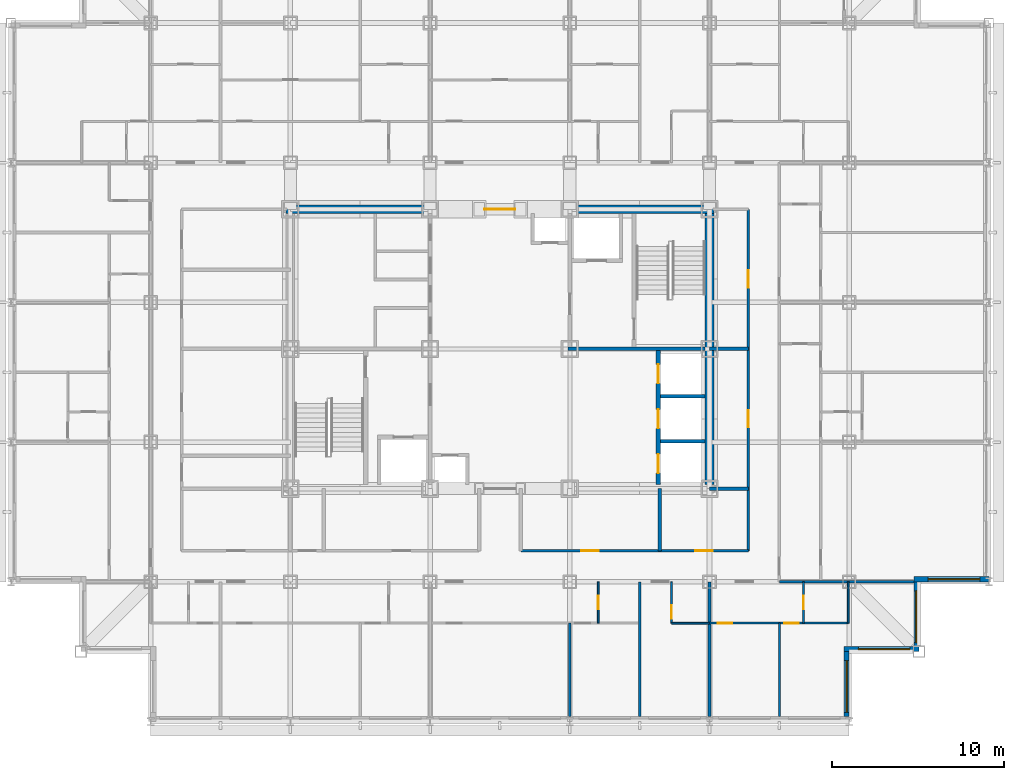
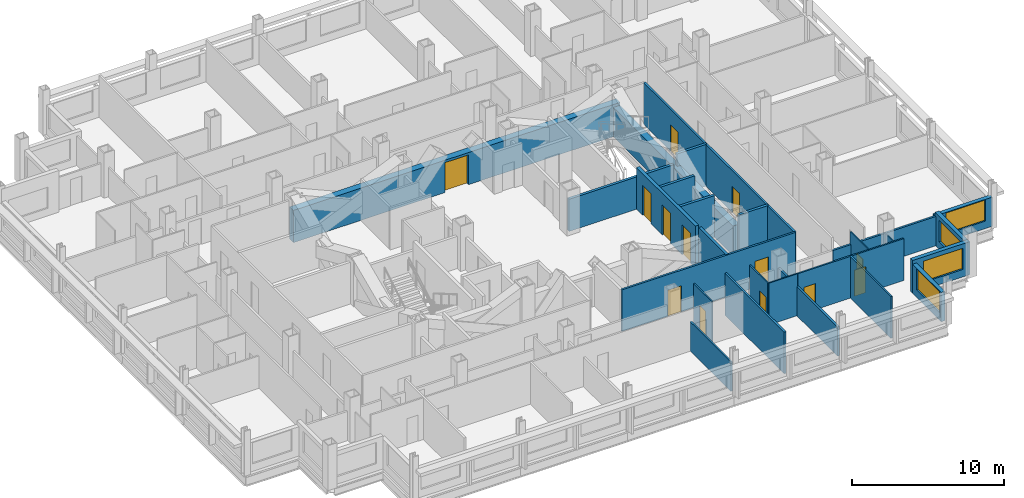
# One storey, part 7 of 12: 26 walls, 13 doors, 4 windows, 17 openings.
"""IFC4 building model written with IfcOpenShell, lengths in metres."""

import ifcopenshell
import ifcopenshell.guid

model = None  # the IFC model being written
_history = None  # IfcOwnerHistory: only IFC2X3 demands one
_inside = {}  # id of a spatial element -> (the spatial element, [elements in it])
_under = {}  # id of a project, library or spatial element -> (it, [spatial elements below it])
_declared = {}  # id of a project -> (the project, [libraries it declares])
_typed = {}  # id of a type object -> (the type object, [elements of that type])
_made_of = {}  # id of a material, layer set ... -> (it, [elements and type objects made of it])


def new_model(schema):
    """Start an empty IFC model of exactly this schema.

    Asked for "IFC4X3", IfcOpenShell would pick the latest addendum, in which some entities
    have other attributes; the version numbers below select the first issue.
    IFC2X3 requires an IfcOwnerHistory on every rooted entity: one is made here for all.
    """
    global model, _history
    if schema == "IFC4X3":
        model = ifcopenshell.file(schema_version=(4, 3, 0, 0))
    else:
        model = ifcopenshell.file(schema=schema)
    _inside.clear()
    _under.clear()
    _declared.clear()
    _typed.clear()
    _made_of.clear()
    _history = None
    if model.schema == "IFC2X3":
        org = make("IfcOrganization", Name="unknown")
        user = make(
            "IfcPersonAndOrganization",
            ThePerson=make("IfcPerson", FamilyName="unknown"),
            TheOrganization=org,
        )
        app = make(
            "IfcApplication",
            ApplicationDeveloper=org,
            Version="unknown",
            ApplicationFullName="unknown",
            ApplicationIdentifier="unknown",
        )
        _history = make(
            "IfcOwnerHistory",
            OwningUser=user,
            OwningApplication=app,
            ChangeAction="ADDED",
            CreationDate=0,
        )
    return model


def make(cls, **values):
    """One entity of the class cls with the attributes given. An attribute that is None is left unset."""
    return model.create_entity(
        cls, **{name: value for name, value in values.items() if value is not None}
    )


def rooted(cls, **values):
    """An entity with a GlobalId (a new one), such as an element, a storey or a relation."""
    return make(cls, GlobalId=ifcopenshell.guid.new(), OwnerHistory=_history, **values)


def si_unit(unit_type, name, prefix=None):
    """IfcSIUnit, for example si_unit("LENGTHUNIT", "METRE", prefix="MILLI")."""
    return make("IfcSIUnit", UnitType=unit_type, Prefix=prefix, Name=name)


def assignment(units):
    """IfcUnitAssignment: the units of a project."""
    return None if units is None else make("IfcUnitAssignment", Units=units)


def point(xyz):
    """IfcCartesianPoint."""
    return None if xyz is None else make("IfcCartesianPoint", Coordinates=xyz)


def direction(xyz):
    """IfcDirection."""
    return None if xyz is None else make("IfcDirection", DirectionRatios=xyz)


def frame(location, z_axis=None, x_axis=None):
    """IfcAxis2Placement3D, a coordinate frame: its origin and axes. An axis left out is left unset."""
    return make(
        "IfcAxis2Placement3D",
        Location=point(location),
        Axis=direction(z_axis),
        RefDirection=direction(x_axis),
    )


def frame_2d(location, x_axis=None):
    """IfcAxis2Placement2D, a coordinate frame in the plane: its origin and x axis."""
    return make(
        "IfcAxis2Placement2D", Location=point(location), RefDirection=direction(x_axis)
    )


def origin():
    """The frame at (0, 0, 0) with its axes left unset."""
    return frame((0.0, 0.0, 0.0))


def place(relative_to, where):
    """IfcLocalPlacement: puts the frame where relative to a parent placement (None: the world)."""
    return make(
        "IfcLocalPlacement", PlacementRelTo=relative_to, RelativePlacement=where
    )


def context(
    kind, dimensions, precision=None, world=None, true_north=None, identifier=None
):
    """IfcGeometricRepresentationContext, for example the 3D "Model" context."""
    return make(
        "IfcGeometricRepresentationContext",
        ContextIdentifier=identifier,
        ContextType=kind,
        CoordinateSpaceDimension=dimensions,
        Precision=precision,
        WorldCoordinateSystem=world,
        TrueNorth=true_north,
    )


def subcontext(parent, identifier, kind, view, scale=None):
    """IfcGeometricRepresentationSubContext, for example "Body" below "Model"."""
    return make(
        "IfcGeometricRepresentationSubContext",
        ContextIdentifier=identifier,
        ContextType=kind,
        ParentContext=parent,
        TargetScale=scale,
        TargetView=view,
    )


def project(units=None, contexts=None):
    """IfcProject with its units and contexts."""
    return rooted(
        "IfcProject",
        Name="project",
        RepresentationContexts=contexts,
        UnitsInContext=assignment(units),
    )


def spatial(cls, under=None, at=None, **own):
    """A site, building, storey or space (cls), placed at a placement, below another one or the project."""
    s = rooted(cls, ObjectPlacement=at, **own)
    if under is not None:
        _under.setdefault(under.id(), (under, []))[1].append(s)
    return s


def profile(cls, at=None, kind="AREA", **sizes):
    """A parametric profile (cls). Its sizes go by their IFC names, for example OverallWidth=200.0."""
    return make(cls, ProfileType=kind, Position=at, **sizes)


def rectangle(**sizes):
    """IfcRectangleProfileDef."""
    return profile("IfcRectangleProfileDef", **sizes)


def extrude(swept, where, along, depth):
    """IfcExtrudedAreaSolid: the profile swept, set in the frame where, extruded along a direction by depth."""
    return make(
        "IfcExtrudedAreaSolid",
        SweptArea=swept,
        Position=where,
        ExtrudedDirection=direction(along),
        Depth=depth,
    )


def shape(context_of_items, identifier, shape_type, items):
    """IfcShapeRepresentation: the items that make up one representation, for example the "Body"."""
    return make(
        "IfcShapeRepresentation",
        ContextOfItems=context_of_items,
        RepresentationIdentifier=identifier,
        RepresentationType=shape_type,
        Items=items,
    )


def material(Name=None, Category=None):
    """IfcMaterial."""
    return make("IfcMaterial", Name=Name, Category=Category)


def layer(
    of_material, thickness, ventilated=None, Name=None, Category=None, Priority=None
):
    """IfcMaterialLayer: one layer of a wall or slab, of a material (None: an air gap)."""
    return make(
        "IfcMaterialLayer",
        Material=of_material,
        LayerThickness=thickness,
        IsVentilated=ventilated,
        Name=Name,
        Category=Category,
        Priority=Priority,
    )


def layer_set(layers, Name=None):
    """IfcMaterialLayerSet."""
    return make("IfcMaterialLayerSet", MaterialLayers=layers, LayerSetName=Name)


def made_of(thing, what):
    """Note that an element or type object is made of a material, layer set ...; save() writes the relation."""
    if what is not None:
        _made_of.setdefault(what.id(), (what, []))[1].append(thing)
    return thing


def type_object(cls, material=None, **own):
    """A type object (cls), such as IfcWallType, which elements share."""
    return made_of(rooted(cls, **own), material)


def element(
    cls,
    number,
    at=None,
    inside=None,
    cuts=None,
    type_object=None,
    material=None,
    context=None,
    identifier="Body",
    shape_type=None,
    held_by="IfcProductDefinitionShape",
    body=None,
    shapes=None,
    **own,
):
    """One element of the class cls, such as IfcWall. Its Tag is "e" and its number.

    at: its placement. inside: the storey or other place that contains it. cuts: it is an
    opening in that element (IfcRelVoidsElement). A single representation is given by context,
    identifier, shape_type and body (its items); several are given by shapes. held_by: the class
    of the entity that holds the representations. save() writes the other relations.
    """
    e = rooted(cls, Tag="e%d" % number, ObjectPlacement=at, **own)
    if body is not None:
        shapes = [shape(context, identifier, shape_type, body)]
    if shapes is not None:
        e.Representation = make(held_by, Representations=shapes)
    if inside is not None:
        _inside.setdefault(inside.id(), (inside, []))[1].append(e)
    if cuts is not None:
        rooted(
            "IfcRelVoidsElement", RelatingBuildingElement=cuts, RelatedOpeningElement=e
        )
    if type_object is not None:
        _typed.setdefault(type_object.id(), (type_object, []))[1].append(e)
    return made_of(e, material)


def fill(opening, filler):
    """IfcRelFillsElement: the door or window that sits in an opening."""
    return rooted(
        "IfcRelFillsElement",
        RelatingOpeningElement=opening,
        RelatedBuildingElement=filler,
    )


def aggregate(whole, parts):
    """IfcRelAggregates: a whole, such as a stair, and the parts it consists of."""
    return rooted("IfcRelAggregates", RelatingObject=whole, RelatedObjects=parts)


def save(model, path):
    """Write the relations noted so far, then the file.

    IfcRelAggregates (storeys below a building ...), IfcRelContainedInSpatialStructure (elements
    in a storey), IfcRelDefinesByType, IfcRelAssociatesMaterial and IfcRelDeclares: one each for
    every whole, place, type object, material and project.
    """
    for whole, parts in _under.values():
        aggregate(whole, parts)
    for where, things in _inside.values():
        rooted(
            "IfcRelContainedInSpatialStructure",
            RelatedElements=things,
            RelatingStructure=where,
        )
    for kind, things in _typed.values():
        rooted("IfcRelDefinesByType", RelatedObjects=things, RelatingType=kind)
    for what, things in _made_of.values():
        rooted("IfcRelAssociatesMaterial", RelatedObjects=things, RelatingMaterial=what)
    for by, libraries in _declared.values():
        rooted("IfcRelDeclares", RelatingContext=by, RelatedDefinitions=libraries)
    model.write(path)


model = new_model("IFC4")

# Units and contexts
model_context = context("Model", 3, precision=1e-05, world=origin(), true_north=direction((0.0, 1.0)))
body_context = subcontext(model_context, "Body", "Model", "MODEL_VIEW")
ifc_project = project(units=[si_unit("LENGTHUNIT", "METRE"), si_unit("AREAUNIT", "SQUARE_METRE"), si_unit("VOLUMEUNIT", "CUBIC_METRE"), si_unit("PLANEANGLEUNIT", "RADIAN"), si_unit("MASSUNIT", "GRAM", prefix="KILO")], contexts=[model_context])

# Site, building, storey
site_placement = place(None, origin())
site = spatial("IfcSite", under=ifc_project, at=site_placement, CompositionType="ELEMENT")
building_placement = place(site_placement, origin())
building = spatial("IfcBuilding", under=site, at=building_placement, Name="Kopane Lantern Tower", CompositionType="ELEMENT")
storey_placement = place(building_placement, frame((0.0, 0.0, 231.60009765625)))
storey = spatial("IfcBuildingStorey", under=building, at=storey_placement, Name="L60", CompositionType="ELEMENT", Elevation=231.60009765625)

# Wall
ifc_material_1 = material(Name="Gypsum board on steel studs", Category="steel")
ifc_layer_1 = layer(ifc_material_1, 0.1201171875)
ifc_layer_set_1 = layer_set([ifc_layer_1], Name="APARTMENT INTERNAL WALL 120")
wall_type_1 = type_object("IfcWallType", Name="APARTMENT INTERNAL WALL 120", PredefinedType="PARTITIONING", material=ifc_layer_set_1)
wall_1_placement = place(storey_placement, frame((32.39990234375, 16.5, 0.0), z_axis=(0.0, 0.0, 1.0), x_axis=(0.0, -1.0, 0.0)))
element("IfcWall", 1, at=wall_1_placement, inside=storey, type_object=wall_type_1, Name="Apartment Internal Wall 120 L60", PredefinedType="PARTITIONING", context=body_context, shape_type="SweptSolid", body=[
    extrude(rectangle(XDim=5.39990234375, YDim=0.1201171875, at=frame_2d((2.699951171875, 0.0))), origin(), (0.0, 0.0, 1.0), 2.349853515625),
])

# Wall, openings, doors
wall_2_placement = place(storey_placement, frame((40.5, 16.5, 0.0), z_axis=(0.0, 0.0, 1.0), x_axis=(1.0, 0.0, 0.0)))
wall_2 = element("IfcWall", 2, at=wall_2_placement, inside=storey, type_object=wall_type_1, Name="Apartment Internal Wall 120 L60", PredefinedType="PARTITIONING", context=body_context, shape_type="SweptSolid", body=[
    extrude(rectangle(XDim=8.050048828125, YDim=0.1201171875, at=frame_2d((4.02490234375, 0.0))), origin(), (0.0, 0.0, 1.0), 3.349853515625),
])
opening_1_placement = place(wall_2_placement, frame((0.47509765625, 0.0, 0.0)))
opening_1 = element("IfcOpeningElement", 3, at=opening_1_placement, cuts=wall_2, Name="Opening L60-055", PredefinedType="OPENING", context=body_context, shape_type="SweptSolid", body=[
    extrude(rectangle(XDim=0.85009765625, YDim=2.10009765625, at=frame_2d((0.425048828125, 1.050048828125))), frame((0.0, 0.070068359375, 0.0), z_axis=(0.0, -1.0, 0.0), x_axis=(1.0, 0.0, 0.0)), (0.0, 0.0, 1.0), 0.14013671875),
])
opening_2_placement = place(wall_2_placement, frame((4.324951171875, 0.0, 0.0)))
opening_2 = element("IfcOpeningElement", 4, at=opening_2_placement, cuts=wall_2, Name="Opening L60-057", PredefinedType="OPENING", context=body_context, shape_type="SweptSolid", body=[
    extrude(rectangle(XDim=0.85009765625, YDim=2.10009765625, at=frame_2d((0.425048828125, 1.050048828125))), frame((0.0, 0.070068359375, 0.0), z_axis=(0.0, -1.0, 0.0), x_axis=(1.0, 0.0, 0.0)), (0.0, 0.0, 1.0), 0.14013671875),
])
ifc_material_2 = material(Name="Timber door set", Category="wood")
door_type_1 = type_object("IfcDoorType", Name="DOOR D4 850x2100", OperationType="SINGLE_SWING_LEFT", PredefinedType="DOOR", material=ifc_material_2)
door_1_placement = place(opening_1_placement, origin())
door_1 = element("IfcDoor", 5, at=door_1_placement, inside=storey, type_object=door_type_1, Name="Door L60-055", OperationType="SINGLE_SWING_LEFT", OverallHeight=2.10009765625, OverallWidth=0.85009765625, PredefinedType="DOOR", context=body_context, shape_type="SweptSolid", body=[
    extrude(rectangle(XDim=0.85009765625, YDim=2.10009765625, at=frame_2d((0.425048828125, 1.050048828125))), frame((0.0, 0.02490234375, 0.0), z_axis=(0.0, -1.0, 0.0), x_axis=(1.0, 0.0, 0.0)), (0.0, 0.0, 1.0), 0.050048828125),
])
fill(opening_1, door_1)
door_2_placement = place(opening_2_placement, origin())
door_2 = element("IfcDoor", 6, at=door_2_placement, inside=storey, type_object=door_type_1, Name="Door L60-057", OperationType="SINGLE_SWING_RIGHT", OverallHeight=2.10009765625, OverallWidth=0.85009765625, PredefinedType="DOOR", context=body_context, shape_type="SweptSolid", body=[
    extrude(rectangle(XDim=0.85009765625, YDim=2.10009765625, at=frame_2d((0.425048828125, 1.050048828125))), frame((0.0, 0.02490234375, 0.0), z_axis=(0.0, -1.0, 0.0), x_axis=(1.0, 0.0, 0.0)), (0.0, 0.0, 1.0), 0.050048828125),
])
fill(opening_2, door_2)

# Wall
wall_3_placement = place(storey_placement, frame((44.550048828125, 16.5, 0.0), z_axis=(0.0, 0.0, 1.0), x_axis=(0.0, -1.0, 0.0)))
element("IfcWall", 7, at=wall_3_placement, inside=storey, type_object=wall_type_1, Name="Apartment Internal Wall 120 L60", PredefinedType="PARTITIONING", context=body_context, shape_type="SweptSolid", body=[
    extrude(rectangle(XDim=5.39990234375, YDim=0.1201171875, at=frame_2d((2.699951171875, 0.0))), origin(), (0.0, 0.0, 1.0), 3.349853515625),
])

# Wall, opening, door
ifc_material_3 = material(Name="Moisture-resistant board on steel studs", Category="steel")
ifc_layer_2 = layer(ifc_material_3, 0.10009765625)
ifc_layer_set_2 = layer_set([ifc_layer_2], Name="BATHROOM WALL 100")
wall_type_2 = type_object("IfcWallType", Name="BATHROOM WALL 100", PredefinedType="PARTITIONING", material=ifc_layer_set_2)
wall_4_placement = place(storey_placement, frame((34.050048828125, 18.89990234375, 0.0), z_axis=(0.0, 0.0, 1.0), x_axis=(0.0, -1.0, 0.0)))
wall_4 = element("IfcWall", 8, at=wall_4_placement, inside=storey, type_object=wall_type_2, Name="Bathroom Wall 100 L60", PredefinedType="PARTITIONING", context=body_context, shape_type="SweptSolid", body=[
    extrude(rectangle(XDim=2.39990234375, YDim=0.10009765625, at=frame_2d((1.199951171875, 0.0))), origin(), (0.0, 0.0, 1.0), 3.349853515625),
])
opening_3_placement = place(wall_4_placement, frame((0.800048828125, 0.0, 0.0)))
opening_3 = element("IfcOpeningElement", 9, at=opening_3_placement, cuts=wall_4, Name="Opening L60-016", PredefinedType="OPENING", context=body_context, shape_type="SweptSolid", body=[
    extrude(rectangle(XDim=0.800048828125, YDim=2.10009765625, at=frame_2d((0.39990234375, 1.050048828125))), frame((0.0, 0.06005859375, 0.0), z_axis=(0.0, -1.0, 0.0), x_axis=(1.0, 0.0, 0.0)), (0.0, 0.0, 1.0), 0.1201171875),
])
ifc_material_4 = material(Name="Timber door set", Category="wood")
door_type_2 = type_object("IfcDoorType", Name="DOOR D2 800x2100", OperationType="SINGLE_SWING_LEFT", PredefinedType="DOOR", material=ifc_material_4)
door_3_placement = place(opening_3_placement, origin())
door_3 = element("IfcDoor", 10, at=door_3_placement, inside=storey, type_object=door_type_2, Name="Door L60-016", OperationType="SINGLE_SWING_LEFT", OverallHeight=2.10009765625, OverallWidth=0.800048828125, PredefinedType="DOOR", context=body_context, shape_type="SweptSolid", body=[
    extrude(rectangle(XDim=0.800048828125, YDim=2.10009765625, at=frame_2d((0.39990234375, 1.050048828125))), frame((0.0, 0.02490234375, 0.0), z_axis=(0.0, -1.0, 0.0), x_axis=(1.0, 0.0, 0.0)), (0.0, 0.0, 1.0), 0.050048828125),
])
fill(opening_3, door_3)

# Wall
wall_5_placement = place(storey_placement, frame((38.300048828125, 16.5, 0.0), z_axis=(0.0, 0.0, 1.0), x_axis=(1.0, 0.0, 0.0)))
element("IfcWall", 11, at=wall_5_placement, inside=storey, type_object=wall_type_2, Name="Bathroom Wall 100 L60", PredefinedType="PARTITIONING", context=body_context, shape_type="SweptSolid", body=[
    extrude(rectangle(XDim=2.199951171875, YDim=0.10009765625, at=frame_2d((1.10009765625, 0.0))), origin(), (0.0, 0.0, 1.0), 3.349853515625),
])

# Wall, opening, door
wall_6_placement = place(storey_placement, frame((38.300048828125, 18.89990234375, 0.0), z_axis=(0.0, 0.0, 1.0), x_axis=(0.0, -1.0, 0.0)))
wall_6 = element("IfcWall", 12, at=wall_6_placement, inside=storey, type_object=wall_type_2, Name="Bathroom Wall 100 L60", PredefinedType="PARTITIONING", context=body_context, shape_type="SweptSolid", body=[
    extrude(rectangle(XDim=2.39990234375, YDim=0.10009765625, at=frame_2d((1.199951171875, 0.0))), origin(), (0.0, 0.0, 1.0), 3.349853515625),
])
opening_4_placement = place(wall_6_placement, frame((1.35009765625, 0.0, 0.0)))
opening_4 = element("IfcOpeningElement", 13, at=opening_4_placement, cuts=wall_6, Name="Opening L60-020", PredefinedType="OPENING", context=body_context, shape_type="SweptSolid", body=[
    extrude(rectangle(XDim=0.800048828125, YDim=2.10009765625, at=frame_2d((0.39990234375, 1.050048828125))), frame((0.0, 0.06005859375, 0.0), z_axis=(0.0, -1.0, 0.0), x_axis=(1.0, 0.0, 0.0)), (0.0, 0.0, 1.0), 0.1201171875),
])
door_4_placement = place(opening_4_placement, origin())
door_4 = element("IfcDoor", 14, at=door_4_placement, inside=storey, type_object=door_type_2, Name="Door L60-020", OperationType="SINGLE_SWING_RIGHT", OverallHeight=2.10009765625, OverallWidth=0.800048828125, PredefinedType="DOOR", context=body_context, shape_type="SweptSolid", body=[
    extrude(rectangle(XDim=0.800048828125, YDim=2.10009765625, at=frame_2d((0.39990234375, 1.050048828125))), frame((0.0, 0.02490234375, 0.0), z_axis=(0.0, -1.0, 0.0), x_axis=(1.0, 0.0, 0.0)), (0.0, 0.0, 1.0), 0.050048828125),
])
fill(opening_4, door_4)

wall_7_placement = place(storey_placement, frame((45.949951171875, 18.89990234375, 0.0), z_axis=(0.0, 0.0, 1.0), x_axis=(0.0, -1.0, 0.0)))
wall_7 = element("IfcWall", 15, at=wall_7_placement, inside=storey, type_object=wall_type_2, Name="Bathroom Wall 100 L60", PredefinedType="PARTITIONING", context=body_context, shape_type="SweptSolid", body=[
    extrude(rectangle(XDim=2.39990234375, YDim=0.10009765625, at=frame_2d((1.199951171875, 0.0))), origin(), (0.0, 0.0, 1.0), 3.349853515625),
])
opening_5_placement = place(wall_7_placement, frame((0.800048828125, 0.0, 0.0)))
opening_5 = element("IfcOpeningElement", 16, at=opening_5_placement, cuts=wall_7, Name="Opening L60-056", PredefinedType="OPENING", context=body_context, shape_type="SweptSolid", body=[
    extrude(rectangle(XDim=0.800048828125, YDim=2.10009765625, at=frame_2d((0.39990234375, 1.050048828125))), frame((0.0, 0.06005859375, 0.0), z_axis=(0.0, -1.0, 0.0), x_axis=(1.0, 0.0, 0.0)), (0.0, 0.0, 1.0), 0.1201171875),
])
door_5_placement = place(opening_5_placement, origin())
door_5 = element("IfcDoor", 17, at=door_5_placement, inside=storey, type_object=door_type_2, Name="Door L60-056", OperationType="SINGLE_SWING_LEFT", OverallHeight=2.10009765625, OverallWidth=0.800048828125, PredefinedType="DOOR", context=body_context, shape_type="SweptSolid", body=[
    extrude(rectangle(XDim=0.800048828125, YDim=2.10009765625, at=frame_2d((0.39990234375, 1.050048828125))), frame((0.0, 0.02490234375, 0.0), z_axis=(0.0, -1.0, 0.0), x_axis=(1.0, 0.0, 0.0)), (0.0, 0.0, 1.0), 0.050048828125),
])
fill(opening_5, door_5)

# Wall
wall_8_placement = place(storey_placement, frame((48.550048828125, 18.89990234375, 0.0), z_axis=(0.0, 0.0, 1.0), x_axis=(0.0, -1.0, 0.0)))
element("IfcWall", 18, at=wall_8_placement, inside=storey, type_object=wall_type_2, Name="Bathroom Wall 100 L60", PredefinedType="PARTITIONING", context=body_context, shape_type="SweptSolid", body=[
    extrude(rectangle(XDim=2.39990234375, YDim=0.10009765625, at=frame_2d((1.199951171875, 0.0))), origin(), (0.0, 0.0, 1.0), 2.349853515625),
])

# Wall, opening, door
ifc_material_5 = material(Name="Gypsum shaft wall EI 120", Category="gypsum")
ifc_layer_3 = layer(ifc_material_5, 0.5)
ifc_layer_set_3 = layer_set([ifc_layer_3], Name="CORE PERIMETER WALL 500 EI 120")
wall_type_3 = type_object("IfcWallType", Name="CORE PERIMETER WALL 500 EI 120", PredefinedType="SOLIDWALL", material=ifc_layer_set_3)
wall_9_placement = place(storey_placement, frame((15.949951171875, 40.5, 0.0), z_axis=(0.0, 0.0, 1.0), x_axis=(1.0, 0.0, 0.0)))
wall_9 = element("IfcWall", 19, at=wall_9_placement, inside=storey, type_object=wall_type_3, Name="Core shaft wall L60 PN", PredefinedType="SOLIDWALL", context=body_context, shape_type="SweptSolid", body=[
    extrude(rectangle(XDim=24.800048828125, YDim=0.5, at=frame_2d((12.39990234375, 0.0))), origin(), (0.0, 0.0, 1.0), 2.587646484375),
])
opening_6_placement = place(wall_9_placement, frame((11.5, 0.0, 0.0)))
opening_6 = element("IfcOpeningElement", 20, at=opening_6_placement, cuts=wall_9, Name="Opening 60.CE-N", PredefinedType="OPENING", context=body_context, shape_type="SweptSolid", body=[
    extrude(rectangle(XDim=1.800048828125, YDim=2.39990234375, at=frame_2d((0.89990234375, 1.199951171875))), frame((0.0, 0.260009765625, 0.0), z_axis=(0.0, -1.0, 0.0), x_axis=(1.0, 0.0, 0.0)), (0.0, 0.0, 1.0), 0.52001953125),
])
ifc_material_6 = material(Name="Steel door set", Category="steel")
door_type_3 = type_object("IfcDoorType", Name="CORE ENTRY DOOR 1800x2400 FD60S", OperationType="DOUBLE_DOOR_SINGLE_SWING", PredefinedType="DOOR", material=ifc_material_6)
door_6_placement = place(opening_6_placement, origin())
door_6 = element("IfcDoor", 21, at=door_6_placement, inside=storey, type_object=door_type_3, Name="Core entry door L60 north", OperationType="DOUBLE_DOOR_SINGLE_SWING", OverallHeight=2.39990234375, OverallWidth=1.800048828125, PredefinedType="DOOR", context=body_context, shape_type="SweptSolid", body=[
    extrude(rectangle(XDim=1.800048828125, YDim=2.39990234375, at=frame_2d((0.89990234375, 1.199951171875))), frame((0.0, 0.02490234375, 0.0), z_axis=(0.0, -1.0, 0.0), x_axis=(1.0, 0.0, 0.0)), (0.0, 0.0, 1.0), 0.050048828125),
])
fill(opening_6, door_6)

# Wall
wall_10_placement = place(storey_placement, frame((40.5, 24.550048828125, 0.0), z_axis=(0.0, 0.0, 1.0), x_axis=(0.0, 1.0, 0.0)))
element("IfcWall", 22, at=wall_10_placement, inside=storey, type_object=wall_type_3, Name="Core shaft wall L60 PE", PredefinedType="SOLIDWALL", context=body_context, shape_type="SweptSolid", body=[
    extrude(rectangle(XDim=15.699951171875, YDim=0.5, at=frame_2d((7.85009765625, 0.0))), origin(), (0.0, 0.0, 1.0), 2.349853515625),
])

# Wall, openings, doors
ifc_material_7 = material(Name="Gypsum shaft wall EI 120", Category="gypsum")
ifc_layer_4 = layer(ifc_material_7, 0.25)
ifc_layer_set_4 = layer_set([ifc_layer_4], Name="CORE SHAFT WALL 250 EI 120")
wall_type_4 = type_object("IfcWallType", Name="CORE SHAFT WALL 250 EI 120", PredefinedType="SOLIDWALL", material=ifc_layer_set_4)
wall_11_placement = place(storey_placement, frame((37.52490234375, 24.550048828125, 0.0), z_axis=(0.0, 0.0, 1.0), x_axis=(0.0, 1.0, 0.0)))
wall_11 = element("IfcWall", 23, at=wall_11_placement, inside=storey, type_object=wall_type_4, Name="Core shaft wall L60 XLR", PredefinedType="SOLIDWALL", context=body_context, shape_type="SweptSolid", body=[
    extrude(rectangle(XDim=7.75, YDim=0.25, at=frame_2d((3.875, 0.0))), origin(), (0.0, 0.0, 1.0), 3.349853515625),
])
opening_7_placement = place(wall_11_placement, frame((0.64990234375, 0.0, 0.0)))
opening_7 = element("IfcOpeningElement", 24, at=opening_7_placement, cuts=wall_11, Name="Opening 60.LD-LR1", PredefinedType="OPENING", context=body_context, shape_type="SweptSolid", body=[
    extrude(rectangle(XDim=1.10009765625, YDim=2.39990234375, at=frame_2d((0.550048828125, 1.199951171875))), frame((0.0, 0.135009765625, 0.0), z_axis=(0.0, -1.0, 0.0), x_axis=(1.0, 0.0, 0.0)), (0.0, 0.0, 1.0), 0.27001953125),
])
opening_8_placement = place(wall_11_placement, frame((3.25, 0.0, 0.0)))
opening_8 = element("IfcOpeningElement", 25, at=opening_8_placement, cuts=wall_11, Name="Opening 60.LD-LR2", PredefinedType="OPENING", context=body_context, shape_type="SweptSolid", body=[
    extrude(rectangle(XDim=1.10009765625, YDim=2.39990234375, at=frame_2d((0.550048828125, 1.199951171875))), frame((0.0, 0.135009765625, 0.0), z_axis=(0.0, -1.0, 0.0), x_axis=(1.0, 0.0, 0.0)), (0.0, 0.0, 1.0), 0.27001953125),
])
opening_9_placement = place(wall_11_placement, frame((5.85009765625, 0.0, 0.0)))
opening_9 = element("IfcOpeningElement", 26, at=opening_9_placement, cuts=wall_11, Name="Opening 60.LD-LR3", PredefinedType="OPENING", context=body_context, shape_type="SweptSolid", body=[
    extrude(rectangle(XDim=1.10009765625, YDim=2.39990234375, at=frame_2d((0.550048828125, 1.199951171875))), frame((0.0, 0.135009765625, 0.0), z_axis=(0.0, -1.0, 0.0), x_axis=(1.0, 0.0, 0.0)), (0.0, 0.0, 1.0), 0.27001953125),
])
ifc_material_8 = material(Name="Steel door set", Category="steel")
door_type_4 = type_object("IfcDoorType", Name="LIFT LANDING DOOR 1100x2400 FD60", OperationType="DOUBLE_DOOR_SLIDING", PredefinedType="DOOR", material=ifc_material_8)
door_7_placement = place(opening_7_placement, origin())
door_7 = element("IfcDoor", 27, at=door_7_placement, inside=storey, type_object=door_type_4, Name="Landing door LR1 L60", OperationType="DOUBLE_DOOR_SLIDING", OverallHeight=2.39990234375, OverallWidth=1.10009765625, PredefinedType="DOOR", context=body_context, shape_type="SweptSolid", body=[
    extrude(rectangle(XDim=1.10009765625, YDim=2.39990234375, at=frame_2d((0.550048828125, 1.199951171875))), frame((0.0, 0.02490234375, 0.0), z_axis=(0.0, -1.0, 0.0), x_axis=(1.0, 0.0, 0.0)), (0.0, 0.0, 1.0), 0.050048828125),
])
fill(opening_7, door_7)
door_8_placement = place(opening_8_placement, origin())
door_8 = element("IfcDoor", 28, at=door_8_placement, inside=storey, type_object=door_type_4, Name="Landing door LR2 L60", OperationType="DOUBLE_DOOR_SLIDING", OverallHeight=2.39990234375, OverallWidth=1.10009765625, PredefinedType="DOOR", context=body_context, shape_type="SweptSolid", body=[
    extrude(rectangle(XDim=1.10009765625, YDim=2.39990234375, at=frame_2d((0.550048828125, 1.199951171875))), frame((0.0, 0.02490234375, 0.0), z_axis=(0.0, -1.0, 0.0), x_axis=(1.0, 0.0, 0.0)), (0.0, 0.0, 1.0), 0.050048828125),
])
fill(opening_8, door_8)
door_9_placement = place(opening_9_placement, origin())
door_9 = element("IfcDoor", 29, at=door_9_placement, inside=storey, type_object=door_type_4, Name="Landing door LR3 L60", OperationType="DOUBLE_DOOR_SLIDING", OverallHeight=2.39990234375, OverallWidth=1.10009765625, PredefinedType="DOOR", context=body_context, shape_type="SweptSolid", body=[
    extrude(rectangle(XDim=1.10009765625, YDim=2.39990234375, at=frame_2d((0.550048828125, 1.199951171875))), frame((0.0, 0.02490234375, 0.0), z_axis=(0.0, -1.0, 0.0), x_axis=(1.0, 0.0, 0.0)), (0.0, 0.0, 1.0), 0.050048828125),
])
fill(opening_9, door_9)

ifc_material_9 = material(Name="Gypsum board on steel studs", Category="steel")
ifc_layer_5 = layer(ifc_material_9, 0.14990234375)
ifc_layer_set_5 = layer_set([ifc_layer_5], Name="CORRIDOR WALL 150 EI 60")
wall_type_5 = type_object("IfcWallType", Name="CORRIDOR WALL 150 EI 60", PredefinedType="PARTITIONING", material=ifc_layer_set_5)
wall_12_placement = place(storey_placement, frame((42.75, 20.699951171875, 0.0), z_axis=(0.0, 0.0, 1.0), x_axis=(0.0, 1.0, 0.0)))
wall_12 = element("IfcWall", 30, at=wall_12_placement, inside=storey, type_object=wall_type_5, Name="Corridor Wall 150 Ei 60 L60", PredefinedType="PARTITIONING", context=body_context, shape_type="SweptSolid", body=[
    extrude(rectangle(XDim=19.800048828125, YDim=0.14990234375, at=frame_2d((9.89990234375, 0.0))), origin(), (0.0, 0.0, 1.0), 3.349853515625),
])
opening_10_placement = place(wall_12_placement, frame((7.14990234375, 0.0, 0.0)))
opening_10 = element("IfcOpeningElement", 31, at=opening_10_placement, cuts=wall_12, Name="Opening L60-005", PredefinedType="OPENING", context=body_context, shape_type="SweptSolid", body=[
    extrude(rectangle(XDim=1.0, YDim=2.10009765625, at=frame_2d((0.5, 1.050048828125))), frame((0.0, 0.0849609375, 0.0), z_axis=(0.0, -1.0, 0.0), x_axis=(1.0, 0.0, 0.0)), (0.0, 0.0, 1.0), 0.169921875),
])
opening_11_placement = place(wall_12_placement, frame((15.25, 0.0, 0.0)))
opening_11 = element("IfcOpeningElement", 32, at=opening_11_placement, cuts=wall_12, Name="Opening L60-006", PredefinedType="OPENING", context=body_context, shape_type="SweptSolid", body=[
    extrude(rectangle(XDim=1.0, YDim=2.10009765625, at=frame_2d((0.5, 1.050048828125))), frame((0.0, 0.0849609375, 0.0), z_axis=(0.0, -1.0, 0.0), x_axis=(1.0, 0.0, 0.0)), (0.0, 0.0, 1.0), 0.169921875),
])
ifc_material_10 = material(Name="Steel door set", Category="steel")
door_type_5 = type_object("IfcDoorType", Name="DOOR D5 1000x2100 FD60", OperationType="SINGLE_SWING_LEFT", PredefinedType="DOOR", material=ifc_material_10)
door_10_placement = place(opening_10_placement, origin())
door_10 = element("IfcDoor", 33, at=door_10_placement, inside=storey, type_object=door_type_5, Name="Door L60-005", OperationType="SINGLE_SWING_LEFT", OverallHeight=2.10009765625, OverallWidth=1.0, PredefinedType="DOOR", context=body_context, shape_type="SweptSolid", body=[
    extrude(rectangle(XDim=1.0, YDim=2.10009765625, at=frame_2d((0.5, 1.050048828125))), frame((0.0, 0.02490234375, 0.0), z_axis=(0.0, -1.0, 0.0), x_axis=(1.0, 0.0, 0.0)), (0.0, 0.0, 1.0), 0.050048828125),
])
fill(opening_10, door_10)
door_11_placement = place(opening_11_placement, origin())
door_11 = element("IfcDoor", 34, at=door_11_placement, inside=storey, type_object=door_type_5, Name="Door L60-006", OperationType="SINGLE_SWING_RIGHT", OverallHeight=2.10009765625, OverallWidth=1.0, PredefinedType="DOOR", context=body_context, shape_type="SweptSolid", body=[
    extrude(rectangle(XDim=1.0, YDim=2.10009765625, at=frame_2d((0.5, 1.050048828125))), frame((0.0, 0.02490234375, 0.0), z_axis=(0.0, -1.0, 0.0), x_axis=(1.0, 0.0, 0.0)), (0.0, 0.0, 1.0), 0.050048828125),
])
fill(opening_11, door_11)

wall_13_placement = place(storey_placement, frame((29.56005859375, 20.699951171875, 0.0), z_axis=(0.0, 0.0, 1.0), x_axis=(1.0, 0.0, 0.0)))
wall_13 = element("IfcWall", 35, at=wall_13_placement, inside=storey, type_object=wall_type_5, Name="Corridor Wall 150 Ei 60 L60", PredefinedType="PARTITIONING", context=body_context, shape_type="SweptSolid", body=[
    extrude(rectangle(XDim=13.18994140625, YDim=0.14990234375, at=frame_2d((6.594970703125, 0.0))), origin(), (0.0, 0.0, 1.0), 3.349853515625),
])
opening_12_placement = place(wall_13_placement, frame((3.517822265625, 0.0, 0.0)))
opening_12 = element("IfcOpeningElement", 36, at=opening_12_placement, cuts=wall_13, Name="Opening L60-010", PredefinedType="OPENING", context=body_context, shape_type="SweptSolid", body=[
    extrude(rectangle(XDim=1.0, YDim=2.10009765625, at=frame_2d((0.5, 1.050048828125))), frame((0.0, 0.0849609375, 0.0), z_axis=(0.0, -1.0, 0.0), x_axis=(1.0, 0.0, 0.0)), (0.0, 0.0, 1.0), 0.169921875),
])
opening_13_placement = place(wall_13_placement, frame((10.117919921875, 0.0, 0.0)))
opening_13 = element("IfcOpeningElement", 37, at=opening_13_placement, cuts=wall_13, Name="Opening L60-011", PredefinedType="OPENING", context=body_context, shape_type="SweptSolid", body=[
    extrude(rectangle(XDim=1.0, YDim=2.10009765625, at=frame_2d((0.5, 1.050048828125))), frame((0.0, 0.0849609375, 0.0), z_axis=(0.0, -1.0, 0.0), x_axis=(1.0, 0.0, 0.0)), (0.0, 0.0, 1.0), 0.169921875),
])
door_12_placement = place(opening_12_placement, origin())
door_12 = element("IfcDoor", 38, at=door_12_placement, inside=storey, type_object=door_type_5, Name="Door L60-010", OperationType="SINGLE_SWING_LEFT", OverallHeight=2.10009765625, OverallWidth=1.0, PredefinedType="DOOR", context=body_context, shape_type="SweptSolid", body=[
    extrude(rectangle(XDim=1.0, YDim=2.10009765625, at=frame_2d((0.5, 1.050048828125))), frame((0.0, 0.02490234375, 0.0), z_axis=(0.0, -1.0, 0.0), x_axis=(1.0, 0.0, 0.0)), (0.0, 0.0, 1.0), 0.050048828125),
])
fill(opening_12, door_12)
door_13_placement = place(opening_13_placement, origin())
door_13 = element("IfcDoor", 39, at=door_13_placement, inside=storey, type_object=door_type_5, Name="Door L60-011", OperationType="SINGLE_SWING_RIGHT", OverallHeight=2.10009765625, OverallWidth=1.0, PredefinedType="DOOR", context=body_context, shape_type="SweptSolid", body=[
    extrude(rectangle(XDim=1.0, YDim=2.10009765625, at=frame_2d((0.5, 1.050048828125))), frame((0.0, 0.02490234375, 0.0), z_axis=(0.0, -1.0, 0.0), x_axis=(1.0, 0.0, 0.0)), (0.0, 0.0, 1.0), 0.050048828125),
])
fill(opening_13, door_13)

# Walls
ifc_material_11 = material(Name="Gypsum board on steel studs", Category="steel")
ifc_layer_6 = layer(ifc_material_11, 0.14990234375)
ifc_layer_set_6 = layer_set([ifc_layer_6], Name="DEMISING WALL 150 EI 60")
wall_type_6 = type_object("IfcWallType", Name="DEMISING WALL 150 EI 60", PredefinedType="PARTITIONING", material=ifc_layer_set_6)
wall_14_placement = place(storey_placement, frame((36.449951171875, 18.89990234375, 0.0), z_axis=(0.0, 0.0, 1.0), x_axis=(0.0, -1.0, 0.0)))
element("IfcWall", 40, at=wall_14_placement, inside=storey, type_object=wall_type_6, Name="Demising Wall 150 Ei 60 L60", PredefinedType="PARTITIONING", context=body_context, shape_type="SweptSolid", body=[
    extrude(rectangle(XDim=7.7998046875, YDim=0.14990234375, at=frame_2d((3.89990234375, 0.0))), origin(), (0.0, 0.0, 1.0), 3.349853515625),
])
wall_15_placement = place(storey_placement, frame((44.550048828125, 18.89990234375, 0.0), z_axis=(0.0, 0.0, 1.0), x_axis=(1.0, 0.0, 0.0)))
element("IfcWall", 41, at=wall_15_placement, inside=storey, type_object=wall_type_6, Name="Demising Wall 150 Ei 60 L60", PredefinedType="PARTITIONING", context=body_context, shape_type="SweptSolid", body=[
    extrude(rectangle(XDim=7.800048828125, YDim=0.14990234375, at=frame_2d((3.89990234375, 0.0))), origin(), (0.0, 0.0, 1.0), 2.349853515625),
])
wall_16_placement = place(storey_placement, frame((40.5, 18.89990234375, 0.0), z_axis=(0.0, 0.0, 1.0), x_axis=(0.0, -1.0, 0.0)))
element("IfcWall", 42, at=wall_16_placement, inside=storey, type_object=wall_type_6, Name="Demising Wall 150 Ei 60 L60", PredefinedType="PARTITIONING", context=body_context, shape_type="SweptSolid", body=[
    extrude(rectangle(XDim=7.7998046875, YDim=0.14990234375, at=frame_2d((3.89990234375, 0.0))), origin(), (0.0, 0.0, 1.0), 2.349853515625),
])

# Wall, opening, window
ifc_material_12 = material(Name="Terracotta rainscreen on light steel framing", Category="masonry")
ifc_layer_7 = layer(ifc_material_12, 0.300048828125)
ifc_layer_set_7 = layer_set([ifc_layer_7], Name="EXTERNAL WALL EW1 300 TERRACOTTA")
wall_type_7 = type_object("IfcWallType", Name="EXTERNAL WALL EW1 300 TERRACOTTA", PredefinedType="SOLIDWALL", material=ifc_layer_set_7)
wall_17_placement = place(storey_placement, frame((48.449951171875, 11.10009765625, 0.0), z_axis=(0.0, 0.0, 1.0), x_axis=(0.0, 1.0, 0.0)))
wall_17 = element("IfcWall", 43, at=wall_17_placement, inside=storey, type_object=wall_type_7, Name="External wall E L60", PredefinedType="SOLIDWALL", context=body_context, shape_type="SweptSolid", body=[
    extrude(rectangle(XDim=3.75, YDim=0.300048828125, at=frame_2d((1.875, 0.0))), origin(), (0.0, 0.0, 1.0), 2.349853515625),
])
opening_14_placement = place(wall_17_placement, frame((0.22509765625, 0.0, 0.60009765625)))
opening_14 = element("IfcOpeningElement", 44, at=opening_14_placement, cuts=wall_17, Name="Opening WR300170", PredefinedType="OPENING", context=body_context, shape_type="SweptSolid", body=[
    extrude(rectangle(XDim=3.0, YDim=1.699951171875, at=frame_2d((1.5, 0.85009765625))), frame((0.0, 0.159912109375, 0.0), z_axis=(0.0, -1.0, 0.0), x_axis=(1.0, 0.0, 0.0)), (0.0, 0.0, 1.0), 0.320068359375),
])
ifc_material_13 = material(Name="Aluminium and clear glass", Category="aluminium")
window_type = type_object("IfcWindowType", Name="RIBBON WINDOW WR300170 3000x1700", PartitioningType="SINGLE_PANEL", PredefinedType="WINDOW", material=ifc_material_13)
window_1_placement = place(opening_14_placement, origin())
window_1 = element("IfcWindow", 45, at=window_1_placement, inside=storey, type_object=window_type, Name="Window E L60", OverallHeight=1.699951171875, OverallWidth=3.0, PartitioningType="SINGLE_PANEL", PredefinedType="WINDOW", context=body_context, shape_type="SweptSolid", body=[
    extrude(rectangle(XDim=3.0, YDim=1.699951171875, at=frame_2d((1.5, 0.85009765625))), frame((0.0, 0.030029296875, 0.0), z_axis=(0.0, -1.0, 0.0), x_axis=(1.0, 0.0, 0.0)), (0.0, 0.0, 1.0), 0.06005859375),
])
fill(opening_14, window_1)

wall_18_placement = place(storey_placement, frame((48.300048828125, 15.0, 0.0), z_axis=(0.0, 0.0, 1.0), x_axis=(1.0, 0.0, 0.0)))
wall_18 = element("IfcWall", 46, at=wall_18_placement, inside=storey, type_object=wall_type_7, Name="External wall S L60", PredefinedType="SOLIDWALL", context=body_context, shape_type="SweptSolid", body=[
    extrude(rectangle(XDim=4.349853515625, YDim=0.300048828125, at=frame_2d((2.1748046875, 0.0))), origin(), (0.0, 0.0, 1.0), 2.64990234375),
])
opening_15_placement = place(wall_18_placement, frame((0.824951171875, 0.0, 0.60009765625)))
opening_15 = element("IfcOpeningElement", 47, at=opening_15_placement, cuts=wall_18, Name="Opening WR300170", PredefinedType="OPENING", context=body_context, shape_type="SweptSolid", body=[
    extrude(rectangle(XDim=3.0, YDim=1.699951171875, at=frame_2d((1.5, 0.85009765625))), frame((0.0, 0.159912109375, 0.0), z_axis=(0.0, -1.0, 0.0), x_axis=(1.0, 0.0, 0.0)), (0.0, 0.0, 1.0), 0.320068359375),
])
window_2_placement = place(opening_15_placement, origin())
window_2 = element("IfcWindow", 48, at=window_2_placement, inside=storey, type_object=window_type, Name="Window S L60", OverallHeight=1.699951171875, OverallWidth=3.0, PartitioningType="SINGLE_PANEL", PredefinedType="WINDOW", context=body_context, shape_type="SweptSolid", body=[
    extrude(rectangle(XDim=3.0, YDim=1.699951171875, at=frame_2d((1.5, 0.85009765625))), frame((0.0, 0.030029296875, 0.0), z_axis=(0.0, -1.0, 0.0), x_axis=(1.0, 0.0, 0.0)), (0.0, 0.0, 1.0), 0.06005859375),
])
fill(opening_15, window_2)

wall_19_placement = place(storey_placement, frame((52.5, 15.14990234375, 0.0), z_axis=(0.0, 0.0, 1.0), x_axis=(0.0, 1.0, 0.0)))
wall_19 = element("IfcWall", 49, at=wall_19_placement, inside=storey, type_object=wall_type_7, Name="External wall E L60", PredefinedType="SOLIDWALL", context=body_context, shape_type="SweptSolid", body=[
    extrude(rectangle(XDim=3.75, YDim=0.300048828125, at=frame_2d((1.875, 0.0))), origin(), (0.0, 0.0, 1.0), 2.64990234375),
])
opening_16_placement = place(wall_19_placement, frame((0.22509765625, 0.0, 0.60009765625)))
opening_16 = element("IfcOpeningElement", 50, at=opening_16_placement, cuts=wall_19, Name="Opening WR300170", PredefinedType="OPENING", context=body_context, shape_type="SweptSolid", body=[
    extrude(rectangle(XDim=3.0, YDim=1.699951171875, at=frame_2d((1.5, 0.85009765625))), frame((0.0, 0.159912109375, 0.0), z_axis=(0.0, -1.0, 0.0), x_axis=(1.0, 0.0, 0.0)), (0.0, 0.0, 1.0), 0.320068359375),
])
window_3_placement = place(opening_16_placement, origin())
window_3 = element("IfcWindow", 51, at=window_3_placement, inside=storey, type_object=window_type, Name="Window E L60", OverallHeight=1.699951171875, OverallWidth=3.0, PartitioningType="SINGLE_PANEL", PredefinedType="WINDOW", context=body_context, shape_type="SweptSolid", body=[
    extrude(rectangle(XDim=3.0, YDim=1.699951171875, at=frame_2d((1.5, 0.85009765625))), frame((0.0, 0.030029296875, 0.0), z_axis=(0.0, -1.0, 0.0), x_axis=(1.0, 0.0, 0.0)), (0.0, 0.0, 1.0), 0.06005859375),
])
fill(opening_16, window_3)

wall_20_placement = place(storey_placement, frame((52.35009765625, 19.050048828125, 0.0), z_axis=(0.0, 0.0, 1.0), x_axis=(1.0, 0.0, 0.0)))
wall_20 = element("IfcWall", 52, at=wall_20_placement, inside=storey, type_object=wall_type_7, Name="External wall S L60", PredefinedType="SOLIDWALL", context=body_context, shape_type="SweptSolid", body=[
    extrude(rectangle(XDim=4.349853515625, YDim=0.300048828125, at=frame_2d((2.1748046875, 0.0))), origin(), (0.0, 0.0, 1.0), 2.349853515625),
])
opening_17_placement = place(wall_20_placement, frame((0.824951171875, 0.0, 0.60009765625)))
opening_17 = element("IfcOpeningElement", 53, at=opening_17_placement, cuts=wall_20, Name="Opening WR300170", PredefinedType="OPENING", context=body_context, shape_type="SweptSolid", body=[
    extrude(rectangle(XDim=3.0, YDim=1.699951171875, at=frame_2d((1.5, 0.85009765625))), frame((0.0, 0.159912109375, 0.0), z_axis=(0.0, -1.0, 0.0), x_axis=(1.0, 0.0, 0.0)), (0.0, 0.0, 1.0), 0.320068359375),
])
window_4_placement = place(opening_17_placement, origin())
window_4 = element("IfcWindow", 54, at=window_4_placement, inside=storey, type_object=window_type, Name="Window S L60", OverallHeight=1.699951171875, OverallWidth=3.0, PartitioningType="SINGLE_PANEL", PredefinedType="WINDOW", context=body_context, shape_type="SweptSolid", body=[
    extrude(rectangle(XDim=3.0, YDim=1.699951171875, at=frame_2d((1.5, 0.85009765625))), frame((0.0, 0.030029296875, 0.0), z_axis=(0.0, -1.0, 0.0), x_axis=(1.0, 0.0, 0.0)), (0.0, 0.0, 1.0), 0.06005859375),
])
fill(opening_17, window_4)

# Walls
ifc_material_14 = material(Name="Concrete masonry", Category="masonry")
ifc_layer_8 = layer(ifc_material_14, 0.199951171875)
ifc_layer_set_8 = layer_set([ifc_layer_8], Name="PLANT ROOM WALL 200 EI 120")
wall_type_8 = type_object("IfcWallType", Name="PLANT ROOM WALL 200 EI 120", PredefinedType="SOLIDWALL", material=ifc_layer_set_8)
wall_21_placement = place(storey_placement, frame((40.5, 32.39990234375, 0.0), z_axis=(0.0, 0.0, 1.0), x_axis=(1.0, 0.0, 0.0)))
element("IfcWall", 55, at=wall_21_placement, inside=storey, type_object=wall_type_8, Name="Plant Room Wall 200 Ei 120 L60", PredefinedType="SOLIDWALL", context=body_context, shape_type="SweptSolid", body=[
    extrude(rectangle(XDim=2.25, YDim=0.199951171875, at=frame_2d((1.125, 0.0))), origin(), (0.0, 0.0, 1.0), 3.349853515625),
])
wall_22_placement = place(storey_placement, frame((37.605712890625, 20.699951171875, 0.0), z_axis=(0.0, 0.0, 1.0), x_axis=(0.0, 1.0, 0.0)))
element("IfcWall", 56, at=wall_22_placement, inside=storey, type_object=wall_type_8, Name="Plant Room Wall 200 Ei 120 L60", PredefinedType="SOLIDWALL", context=body_context, shape_type="SweptSolid", body=[
    extrude(rectangle(XDim=3.60009765625, YDim=0.199951171875, at=frame_2d((1.800048828125, 0.0))), origin(), (0.0, 0.0, 1.0), 3.349853515625),
])
wall_23_placement = place(storey_placement, frame((40.5, 24.300048828125, 0.0), z_axis=(0.0, 0.0, 1.0), x_axis=(1.0, 0.0, 0.0)))
element("IfcWall", 57, at=wall_23_placement, inside=storey, type_object=wall_type_8, Name="Plant Room Wall 200 Ei 120 L60", PredefinedType="SOLIDWALL", context=body_context, shape_type="SweptSolid", body=[
    extrude(rectangle(XDim=2.25, YDim=0.199951171875, at=frame_2d((1.125, 0.0))), origin(), (0.0, 0.0, 1.0), 3.349853515625),
])
ifc_material_15 = material(Name="Gypsum shaft wall EI 120", Category="gypsum")
ifc_layer_9 = layer(ifc_material_15, 0.199951171875)
ifc_layer_set_9 = layer_set([ifc_layer_9], Name="SHAFT WALL 200 EI 120")
wall_type_9 = type_object("IfcWallType", Name="SHAFT WALL 200 EI 120", PredefinedType="SOLIDWALL", material=ifc_layer_set_9)
wall_24_placement = place(storey_placement, frame((32.300048828125, 32.39990234375, 0.0), z_axis=(0.0, 0.0, 1.0), x_axis=(1.0, 0.0, 0.0)))
element("IfcWall", 58, at=wall_24_placement, inside=storey, type_object=wall_type_9, Name="Core shaft wall L60 Y324E", PredefinedType="SOLIDWALL", context=body_context, shape_type="SweptSolid", body=[
    extrude(rectangle(XDim=7.949951171875, YDim=0.199951171875, at=frame_2d((3.97509765625, 0.0))), origin(), (0.0, 0.0, 1.0), 2.587646484375),
])
for number, where, z_axis, x_axis, name in (
    (59, (37.64990234375, 27.050048828125, 0.0), (0.0, 0.0, 1.0), (1.0, 0.0, 0.0), "Core shaft wall L60 YLR12"),
    (60, (37.64990234375, 29.64990234375, 0.0), (0.0, 0.0, 1.0), (1.0, 0.0, 0.0), "Core shaft wall L60 YLR23"),
):
    element("IfcWall", number, at=place(storey_placement, frame(where, z_axis=z_axis, x_axis=x_axis)), inside=storey, type_object=wall_type_9, Name=name, PredefinedType="SOLIDWALL", context=body_context, shape_type="SweptSolid", body=[
        extrude(rectangle(XDim=2.60009765625, YDim=0.199951171875, at=frame_2d((1.300048828125, 0.0))), origin(), (0.0, 0.0, 1.0), 3.349853515625),
    ])

save(model, "model.ifc")
